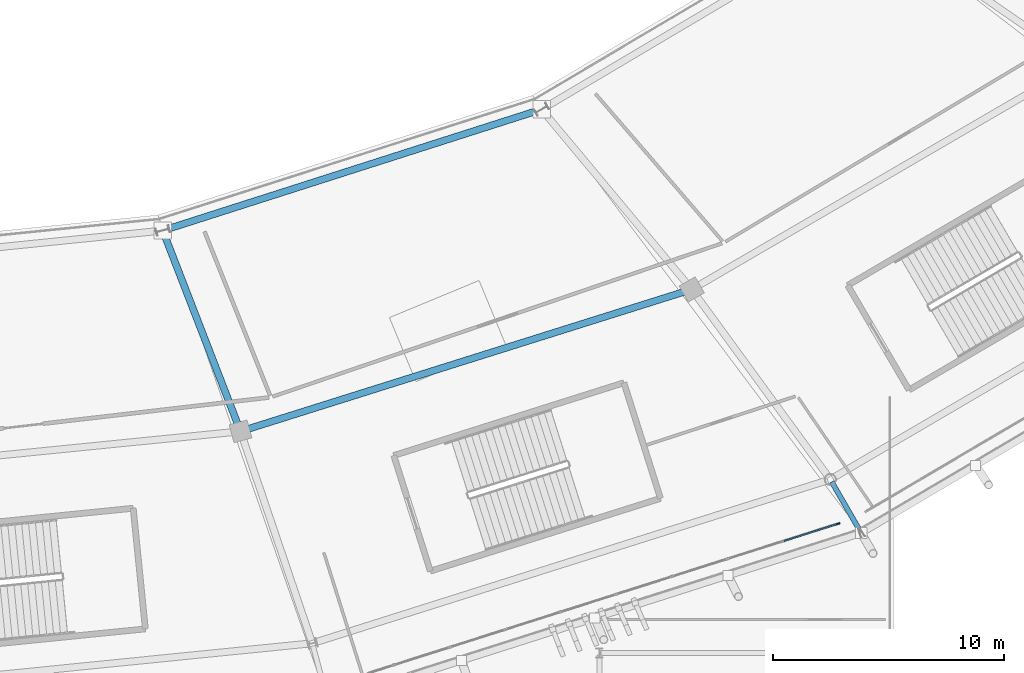
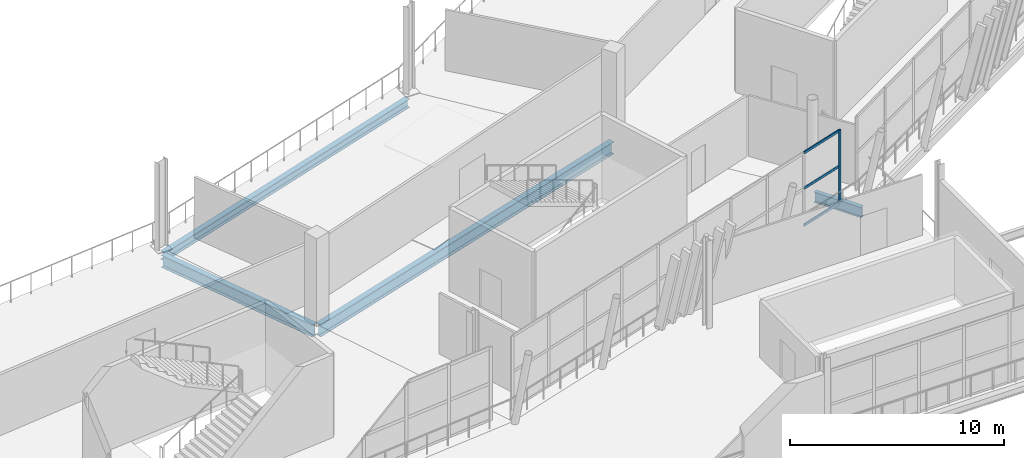
# One storey, part 51 of 179: 4 beams, 4 members, 1 element without a shape of its own.
"""IFC4 building model written with IfcOpenShell, lengths in metres."""

from ifc_helpers import new_model, si_unit, direction, frame, origin, origin_2d, place, context, subcontext, project, spatial, rectangle, i_section, extrude, material, material_profile, profile_set, type_object, element, aggregate, save


model = new_model("IFC4")

# Units and contexts
model_context = context("Model", 3, precision=1e-05, world=origin(), true_north=direction((0.0, 1.0)))
body_context = subcontext(model_context, "Body", "Model", "MODEL_VIEW")
ifc_project = project(units=[si_unit("LENGTHUNIT", "METRE"), si_unit("AREAUNIT", "SQUARE_METRE"), si_unit("VOLUMEUNIT", "CUBIC_METRE"), si_unit("PLANEANGLEUNIT", "RADIAN"), si_unit("MASSUNIT", "GRAM", prefix="KILO")], contexts=[model_context])

# Site, building, storey
site_placement = place(None, origin())
site = spatial("IfcSite", under=ifc_project, at=site_placement, CompositionType="ELEMENT")
building_placement = place(site_placement, origin())
building = spatial("IfcBuilding", under=site, at=building_placement, Name="Zlatoyarsky Gate Stadium", CompositionType="ELEMENT")
storey_placement = place(building_placement, frame((0.0, 0.0, 10.60009765625)))
storey = spatial("IfcBuildingStorey", under=building, at=storey_placement, Name="L02", CompositionType="ELEMENT", Elevation=10.60009765625)

# Curtain wall, members
ifc_material_1 = material(Name="Thermally broken anodised aluminium curtain wall", Category="aluminium")
curtain_wall_type = type_object("IfcCurtainWallType", Name="UNITISED HOSPITALITY GLAZING L02", PredefinedType="USERDEFINED", material=ifc_material_1)
curtain_wall_placement = place(storey_placement, origin())
curtain_wall = element("IfcCurtainWall", 1, at=curtain_wall_placement, inside=storey, type_object=curtain_wall_type, Name="Curtain wall CW-L02-19", ObjectType="UNITISED GLAZING", PredefinedType="USERDEFINED")
ifc_material_2 = material(Name="Anodised aluminium 6063-T6", Category="aluminium")
ifc_material_profile_1 = material_profile(ifc_material_2, rectangle(XDim=0.06494140625, YDim=0.159912109375, at=origin_2d()), Name="ALU 65X160")
ifc_profile_set_1 = profile_set([ifc_material_profile_1], Name="Anodised aluminium 6063-T6")
member_type_1 = type_object("IfcMemberType", Name="ALUMINIUM MULLION 65X160", PredefinedType="MULLION", material=ifc_profile_set_1)
member_1_placement = place(storey_placement, frame((157.837646484375, 16.593994140625, 0.0), z_axis=(0.0, 0.0, 1.0), x_axis=(-0.303278080998, 0.952902096538, 0.0)))
member_1 = element("IfcMember", 2, at=member_1_placement, type_object=member_type_1, Name="CW-UG2 mullion 10", PredefinedType="MULLION", context=body_context, shape_type="SweptSolid", body=[
    extrude(rectangle(XDim=0.06494140625, YDim=0.159912109375, at=origin_2d()), origin(), (0.0, 0.0, 1.0), 4.199951171875),
])
ifc_material_profile_2 = material_profile(ifc_material_2, rectangle(XDim=0.06494140625, YDim=0.139892578125, at=origin_2d()), Name="ALU 65X140")
ifc_profile_set_2 = profile_set([ifc_material_profile_2], Name="Anodised aluminium 6063-T6")
member_type_2 = type_object("IfcMemberType", Name="ALUMINIUM TRANSOM 65X140", PredefinedType="USERDEFINED", material=ifc_profile_set_2)
member_2_placement = place(storey_placement, frame((155.491943359375, 15.847412109375, 0.032470703125), z_axis=(0.952887493796, 0.303323959105, 0.0), x_axis=(-0.303323959105, 0.952887493796, 0.0)))
member_2 = element("IfcMember", 3, at=member_2_placement, type_object=member_type_2, Name="CW-UG2 transom 9.1", ObjectType="TRANSOM", PredefinedType="USERDEFINED", context=body_context, shape_type="SweptSolid", body=[
    extrude(rectangle(XDim=0.06494140625, YDim=0.139892578125, at=origin_2d()), origin(), (0.0, 0.0, 1.0), 2.42919921875),
])
member_3_placement = place(storey_placement, frame((155.491943359375, 15.847412109375, 2.14990234375), z_axis=(0.952887493796, 0.303323959105, 0.0), x_axis=(-0.303323959105, 0.952887493796, 0.0)))
member_3 = element("IfcMember", 4, at=member_3_placement, type_object=member_type_2, Name="CW-UG2 transom 9.2", ObjectType="TRANSOM", PredefinedType="USERDEFINED", context=body_context, shape_type="SweptSolid", body=[
    extrude(rectangle(XDim=0.06494140625, YDim=0.139892578125, at=origin_2d()), origin(), (0.0, 0.0, 1.0), 2.42919921875),
])
member_4_placement = place(storey_placement, frame((155.491943359375, 15.847412109375, 4.16748046875), z_axis=(0.952887493796, 0.303323959105, 0.0), x_axis=(-0.303323959105, 0.952887493796, 0.0)))
member_4 = element("IfcMember", 5, at=member_4_placement, type_object=member_type_2, Name="CW-UG2 transom 9.3", ObjectType="TRANSOM", PredefinedType="USERDEFINED", context=body_context, shape_type="SweptSolid", body=[
    extrude(rectangle(XDim=0.06494140625, YDim=0.139892578125, at=origin_2d()), origin(), (0.0, 0.0, 1.0), 2.42919921875),
])
aggregate(curtain_wall, [member_1, member_2, member_3, member_4])

# Beams
ifc_material_3 = material(Name="Steel S355", Category="steel")
ifc_material_profile_3 = material_profile(ifc_material_3, i_section(OverallWidth=0.219970703125, OverallDepth=0.60009765625, WebThickness=0.011962890625, FlangeThickness=0.01904296875, FilletRadius=0.02392578125, at=origin_2d()), Name="IPE 600")
ifc_profile_set_3 = profile_set([ifc_material_profile_3], Name="Steel S355")
beam_type_1 = type_object("IfcBeamType", Name="STEEL CANTILEVER FLOOR BEAM IPE 600", PredefinedType="BEAM", material=ifc_profile_set_3)
beam_1_placement = place(storey_placement, frame((157.56005859375, 18.408203125, -0.580078125), z_axis=(0.499981548585, -0.866036056452, 0.0), x_axis=(0.866036056452, 0.499981548585, 0.0)))
element("IfcBeam", 6, at=beam_1_placement, inside=storey, type_object=beam_type_1, Name="Beam B-IPE600 BM-L02-OUT-20", PredefinedType="BEAM", context=body_context, shape_type="SweptSolid", body=[
    extrude(i_section(OverallWidth=0.219970703125, OverallDepth=0.60009765625, WebThickness=0.011962890625, FlangeThickness=0.01904296875, FilletRadius=0.02392578125, at=origin_2d()), origin(), (0.0, 0.0, 1.0), 2.5556640625),
])
ifc_material_profile_4 = material_profile(ifc_material_3, i_section(OverallWidth=0.300048828125, OverallDepth=0.5, WebThickness=0.014404296875, FlangeThickness=0.028076171875, FilletRadius=0.027099609375, at=origin_2d()), Name="HEB 500")
ifc_profile_set_4 = profile_set([ifc_material_profile_4], Name="Steel S355")
beam_type_2 = type_object("IfcBeamType", Name="STEEL PRIMARY GIRDER HEB 500", PredefinedType="BEAM", material=ifc_profile_set_4)
beam_2_placement = place(storey_placement, frame((128.714111328125, 29.325439453125, -0.530029296875), z_axis=(0.952480396568, 0.304599891914, 0.0), x_axis=(-0.304599891914, 0.952480396568, 0.0)))
element("IfcBeam", 7, at=beam_2_placement, inside=storey, type_object=beam_type_2, Name="Beam G-HEB500 BM-L02-CRA-19", PredefinedType="BEAM", context=body_context, shape_type="SweptSolid", body=[
    extrude(i_section(OverallWidth=0.300048828125, OverallDepth=0.5, WebThickness=0.014404296875, FlangeThickness=0.028076171875, FilletRadius=0.027099609375, at=origin_2d()), origin(), (0.0, 0.0, 1.0), 16.978515625),
])
ifc_material_profile_5 = material_profile(ifc_material_3, i_section(OverallWidth=0.300048828125, OverallDepth=0.699951171875, WebThickness=0.01708984375, FlangeThickness=0.031982421875, FilletRadius=0.027099609375, at=origin_2d()), Name="HEB 700")
ifc_profile_set_5 = profile_set([ifc_material_profile_5], Name="Steel S355")
beam_type_3 = type_object("IfcBeamType", Name="STEEL PRIMARY GIRDER HEB 700", PredefinedType="BEAM", material=ifc_profile_set_5)
beam_3_placement = place(storey_placement, frame((128.64306640625, 29.177001953125, -0.630126953125), z_axis=(0.36092924223, -0.932593202904, 0.0), x_axis=(0.932593202904, 0.36092924223, 0.0)))
element("IfcBeam", 8, at=beam_3_placement, inside=storey, type_object=beam_type_3, Name="Beam G-HEB700 BM-L02-RAB-19", PredefinedType="BEAM", context=body_context, shape_type="SweptSolid", body=[
    extrude(i_section(OverallWidth=0.300048828125, OverallDepth=0.699951171875, WebThickness=0.01708984375, FlangeThickness=0.031982421875, FilletRadius=0.027099609375, at=origin_2d()), origin(), (0.0, 0.0, 1.0), 9.08154296875),
])
beam_4_placement = place(storey_placement, frame((132.078857421875, 20.631591796875, -0.630126953125), z_axis=(0.953937507984, 0.300005384719, 0.0), x_axis=(-0.300005384719, 0.953937507984, 0.0)))
element("IfcBeam", 9, at=beam_4_placement, inside=storey, type_object=beam_type_3, Name="Beam G-HEB700 BM-L02-CRB-19", PredefinedType="BEAM", context=body_context, shape_type="SweptSolid", body=[
    extrude(i_section(OverallWidth=0.300048828125, OverallDepth=0.699951171875, WebThickness=0.01708984375, FlangeThickness=0.031982421875, FilletRadius=0.027099609375, at=origin_2d()), origin(), (0.0, 0.0, 1.0), 20.239013671875),
])

save(model, "model.ifc")
